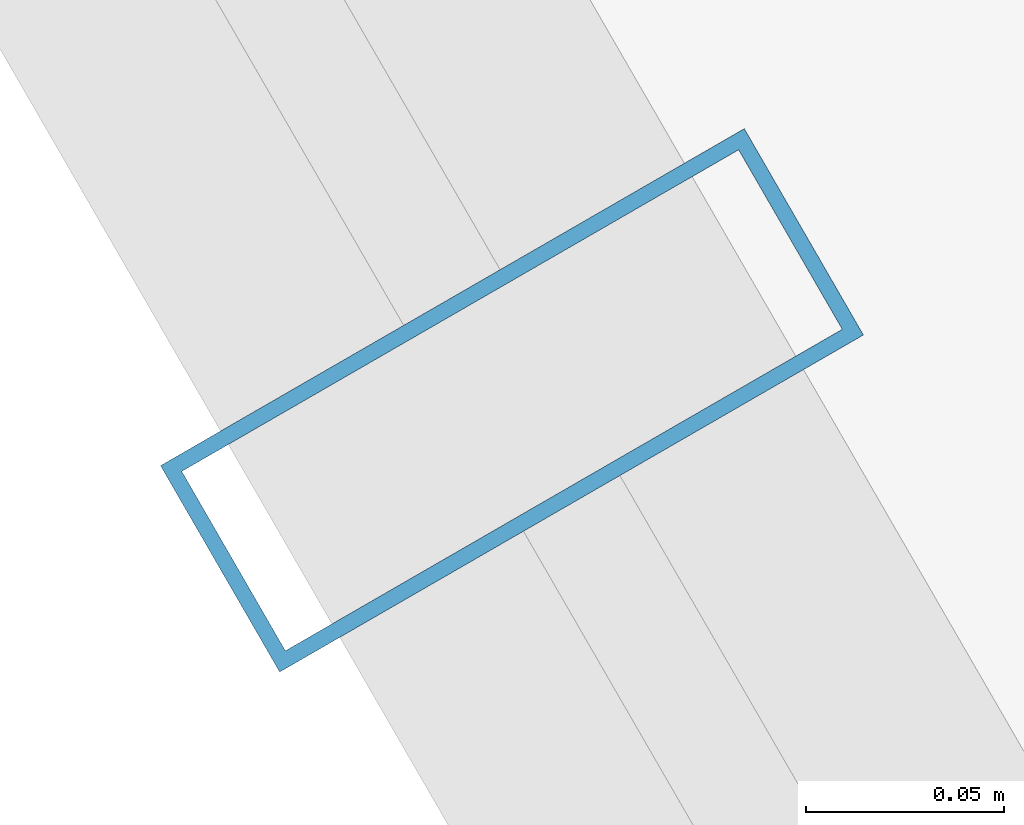
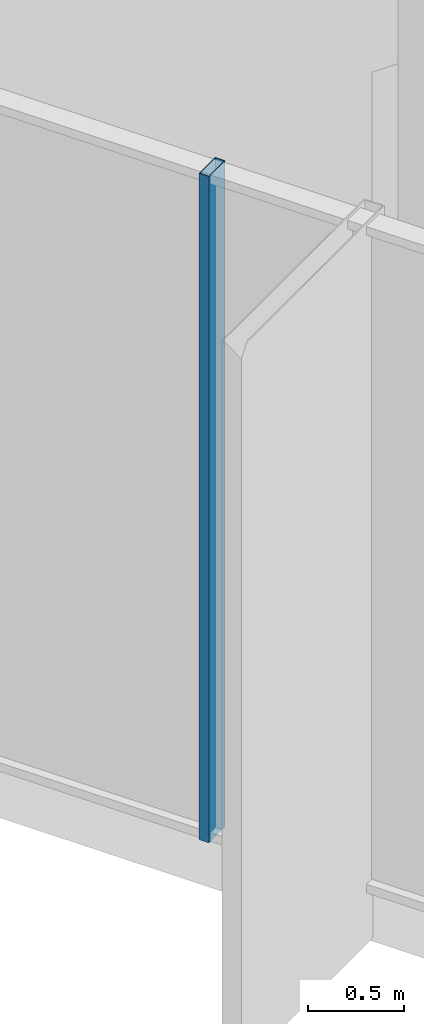
# One storey, part 4 of 39: 1 member, 1 element without a shape of its own.
"""IFC4 building model written with IfcOpenShell, lengths in metres."""

import ifcopenshell
import ifcopenshell.guid

model = None  # the IFC model being written
_history = None  # IfcOwnerHistory: only IFC2X3 demands one
_inside = {}  # id of a spatial element -> (the spatial element, [elements in it])
_under = {}  # id of a project, library or spatial element -> (it, [spatial elements below it])
_declared = {}  # id of a project -> (the project, [libraries it declares])
_typed = {}  # id of a type object -> (the type object, [elements of that type])
_made_of = {}  # id of a material, layer set ... -> (it, [elements and type objects made of it])


def new_model(schema):
    """Start an empty IFC model of exactly this schema.

    Asked for "IFC4X3", IfcOpenShell would pick the latest addendum, in which some entities
    have other attributes; the version numbers below select the first issue.
    IFC2X3 requires an IfcOwnerHistory on every rooted entity: one is made here for all.
    """
    global model, _history
    if schema == "IFC4X3":
        model = ifcopenshell.file(schema_version=(4, 3, 0, 0))
    else:
        model = ifcopenshell.file(schema=schema)
    _inside.clear()
    _under.clear()
    _declared.clear()
    _typed.clear()
    _made_of.clear()
    _history = None
    if model.schema == "IFC2X3":
        org = make("IfcOrganization", Name="unknown")
        user = make(
            "IfcPersonAndOrganization",
            ThePerson=make("IfcPerson", FamilyName="unknown"),
            TheOrganization=org,
        )
        app = make(
            "IfcApplication",
            ApplicationDeveloper=org,
            Version="unknown",
            ApplicationFullName="unknown",
            ApplicationIdentifier="unknown",
        )
        _history = make(
            "IfcOwnerHistory",
            OwningUser=user,
            OwningApplication=app,
            ChangeAction="ADDED",
            CreationDate=0,
        )
    return model


def make(cls, **values):
    """One entity of the class cls with the attributes given. An attribute that is None is left unset."""
    return model.create_entity(
        cls, **{name: value for name, value in values.items() if value is not None}
    )


def rooted(cls, **values):
    """An entity with a GlobalId (a new one), such as an element, a storey or a relation."""
    return make(cls, GlobalId=ifcopenshell.guid.new(), OwnerHistory=_history, **values)


def si_unit(unit_type, name, prefix=None):
    """IfcSIUnit, for example si_unit("LENGTHUNIT", "METRE", prefix="MILLI")."""
    return make("IfcSIUnit", UnitType=unit_type, Prefix=prefix, Name=name)


def assignment(units):
    """IfcUnitAssignment: the units of a project."""
    return None if units is None else make("IfcUnitAssignment", Units=units)


def point(xyz):
    """IfcCartesianPoint."""
    return None if xyz is None else make("IfcCartesianPoint", Coordinates=xyz)


def direction(xyz):
    """IfcDirection."""
    return None if xyz is None else make("IfcDirection", DirectionRatios=xyz)


def frame(location, z_axis=None, x_axis=None):
    """IfcAxis2Placement3D, a coordinate frame: its origin and axes. An axis left out is left unset."""
    return make(
        "IfcAxis2Placement3D",
        Location=point(location),
        Axis=direction(z_axis),
        RefDirection=direction(x_axis),
    )


def frame_2d(location, x_axis=None):
    """IfcAxis2Placement2D, a coordinate frame in the plane: its origin and x axis."""
    return make(
        "IfcAxis2Placement2D", Location=point(location), RefDirection=direction(x_axis)
    )


def origin():
    """The frame at (0, 0, 0) with its axes left unset."""
    return frame((0.0, 0.0, 0.0))


def origin_2d():
    """The frame at (0, 0) in the plane with its x axis left unset."""
    return frame_2d((0.0, 0.0))


def place(relative_to, where):
    """IfcLocalPlacement: puts the frame where relative to a parent placement (None: the world)."""
    return make(
        "IfcLocalPlacement", PlacementRelTo=relative_to, RelativePlacement=where
    )


def context(
    kind, dimensions, precision=None, world=None, true_north=None, identifier=None
):
    """IfcGeometricRepresentationContext, for example the 3D "Model" context."""
    return make(
        "IfcGeometricRepresentationContext",
        ContextIdentifier=identifier,
        ContextType=kind,
        CoordinateSpaceDimension=dimensions,
        Precision=precision,
        WorldCoordinateSystem=world,
        TrueNorth=true_north,
    )


def subcontext(parent, identifier, kind, view, scale=None):
    """IfcGeometricRepresentationSubContext, for example "Body" below "Model"."""
    return make(
        "IfcGeometricRepresentationSubContext",
        ContextIdentifier=identifier,
        ContextType=kind,
        ParentContext=parent,
        TargetScale=scale,
        TargetView=view,
    )


def project(units=None, contexts=None):
    """IfcProject with its units and contexts."""
    return rooted(
        "IfcProject",
        Name="project",
        RepresentationContexts=contexts,
        UnitsInContext=assignment(units),
    )


def spatial(cls, under=None, at=None, **own):
    """A site, building, storey or space (cls), placed at a placement, below another one or the project."""
    s = rooted(cls, ObjectPlacement=at, **own)
    if under is not None:
        _under.setdefault(under.id(), (under, []))[1].append(s)
    return s


def profile(cls, at=None, kind="AREA", **sizes):
    """A parametric profile (cls). Its sizes go by their IFC names, for example OverallWidth=200.0."""
    return make(cls, ProfileType=kind, Position=at, **sizes)


def hollow_rectangle(**sizes):
    """IfcRectangleHollowProfileDef."""
    return profile("IfcRectangleHollowProfileDef", **sizes)


def extrude(swept, where, along, depth):
    """IfcExtrudedAreaSolid: the profile swept, set in the frame where, extruded along a direction by depth."""
    return make(
        "IfcExtrudedAreaSolid",
        SweptArea=swept,
        Position=where,
        ExtrudedDirection=direction(along),
        Depth=depth,
    )


def shape(context_of_items, identifier, shape_type, items):
    """IfcShapeRepresentation: the items that make up one representation, for example the "Body"."""
    return make(
        "IfcShapeRepresentation",
        ContextOfItems=context_of_items,
        RepresentationIdentifier=identifier,
        RepresentationType=shape_type,
        Items=items,
    )


def source(mapping_origin, context_of_items, identifier, shape_type, items):
    """IfcRepresentationMap: a shape defined once, which mapped items show again and again."""
    return make(
        "IfcRepresentationMap",
        MappingOrigin=mapping_origin,
        MappedRepresentation=shape(context_of_items, identifier, shape_type, items),
    )


def transform(
    local_origin,
    x_axis=None,
    y_axis=None,
    z_axis=None,
    scale=None,
    scale2=None,
    scale3=None,
    uniform=True,
):
    """IfcCartesianTransformationOperator3D, or its non-uniform kind. x_axis, y_axis, z_axis: its Axis1, 2, 3."""
    if uniform:
        return make(
            "IfcCartesianTransformationOperator3D",
            Axis1=direction(x_axis),
            Axis2=direction(y_axis),
            LocalOrigin=point(local_origin),
            Scale=scale,
            Axis3=direction(z_axis),
        )
    return make(
        "IfcCartesianTransformationOperator3DnonUniform",
        Axis1=direction(x_axis),
        Axis2=direction(y_axis),
        LocalOrigin=point(local_origin),
        Scale=scale,
        Axis3=direction(z_axis),
        Scale2=scale2,
        Scale3=scale3,
    )


def mapped(mapping_source, mapping_target):
    """IfcMappedItem: shows the shape of a source again, moved by a transform."""
    return make(
        "IfcMappedItem", MappingSource=mapping_source, MappingTarget=mapping_target
    )


def material(Name=None, Category=None):
    """IfcMaterial."""
    return make("IfcMaterial", Name=Name, Category=Category)


def layer(
    of_material, thickness, ventilated=None, Name=None, Category=None, Priority=None
):
    """IfcMaterialLayer: one layer of a wall or slab, of a material (None: an air gap)."""
    return make(
        "IfcMaterialLayer",
        Material=of_material,
        LayerThickness=thickness,
        IsVentilated=ventilated,
        Name=Name,
        Category=Category,
        Priority=Priority,
    )


def layer_set(layers, Name=None):
    """IfcMaterialLayerSet."""
    return make("IfcMaterialLayerSet", MaterialLayers=layers, LayerSetName=Name)


def material_profile(
    of_material, cross_section, Name=None, Category=None, Priority=None
):
    """IfcMaterialProfile: a cross section and its material."""
    return make(
        "IfcMaterialProfile",
        Name=Name,
        Material=of_material,
        Profile=cross_section,
        Priority=Priority,
        Category=Category,
    )


def profile_set(profiles, Name=None, composite=None):
    """IfcMaterialProfileSet."""
    return make(
        "IfcMaterialProfileSet",
        Name=Name,
        MaterialProfiles=profiles,
        CompositeProfile=composite,
    )


def made_of(thing, what):
    """Note that an element or type object is made of a material, layer set ...; save() writes the relation."""
    if what is not None:
        _made_of.setdefault(what.id(), (what, []))[1].append(thing)
    return thing


def type_object(cls, material=None, **own):
    """A type object (cls), such as IfcWallType, which elements share."""
    return made_of(rooted(cls, **own), material)


def element(
    cls,
    number,
    at=None,
    inside=None,
    cuts=None,
    type_object=None,
    material=None,
    context=None,
    identifier="Body",
    shape_type=None,
    held_by="IfcProductDefinitionShape",
    body=None,
    shapes=None,
    **own,
):
    """One element of the class cls, such as IfcWall. Its Tag is "e" and its number.

    at: its placement. inside: the storey or other place that contains it. cuts: it is an
    opening in that element (IfcRelVoidsElement). A single representation is given by context,
    identifier, shape_type and body (its items); several are given by shapes. held_by: the class
    of the entity that holds the representations. save() writes the other relations.
    """
    e = rooted(cls, Tag="e%d" % number, ObjectPlacement=at, **own)
    if body is not None:
        shapes = [shape(context, identifier, shape_type, body)]
    if shapes is not None:
        e.Representation = make(held_by, Representations=shapes)
    if inside is not None:
        _inside.setdefault(inside.id(), (inside, []))[1].append(e)
    if cuts is not None:
        rooted(
            "IfcRelVoidsElement", RelatingBuildingElement=cuts, RelatedOpeningElement=e
        )
    if type_object is not None:
        _typed.setdefault(type_object.id(), (type_object, []))[1].append(e)
    return made_of(e, material)


def aggregate(whole, parts):
    """IfcRelAggregates: a whole, such as a stair, and the parts it consists of."""
    return rooted("IfcRelAggregates", RelatingObject=whole, RelatedObjects=parts)


def save(model, path):
    """Write the relations noted so far, then the file.

    IfcRelAggregates (storeys below a building ...), IfcRelContainedInSpatialStructure (elements
    in a storey), IfcRelDefinesByType, IfcRelAssociatesMaterial and IfcRelDeclares: one each for
    every whole, place, type object, material and project.
    """
    for whole, parts in _under.values():
        aggregate(whole, parts)
    for where, things in _inside.values():
        rooted(
            "IfcRelContainedInSpatialStructure",
            RelatedElements=things,
            RelatingStructure=where,
        )
    for kind, things in _typed.values():
        rooted("IfcRelDefinesByType", RelatedObjects=things, RelatingType=kind)
    for what, things in _made_of.values():
        rooted("IfcRelAssociatesMaterial", RelatedObjects=things, RelatingMaterial=what)
    for by, libraries in _declared.values():
        rooted("IfcRelDeclares", RelatingContext=by, RelatedDefinitions=libraries)
    model.write(path)


model = new_model("IFC4")

# Units and contexts
model_context = context("Model", 3, precision=1e-05, world=origin(), true_north=direction((0.0, 1.0)))
body_context = subcontext(model_context, "Body", "Model", "MODEL_VIEW")
ifc_project = project(units=[si_unit("LENGTHUNIT", "METRE"), si_unit("AREAUNIT", "SQUARE_METRE"), si_unit("VOLUMEUNIT", "CUBIC_METRE"), si_unit("PLANEANGLEUNIT", "RADIAN"), si_unit("MASSUNIT", "GRAM", prefix="KILO")], contexts=[model_context])

# Site, building, storey
site_placement = place(None, origin())
site = spatial("IfcSite", under=ifc_project, at=site_placement, CompositionType="ELEMENT")
building_placement = place(site_placement, origin())
building = spatial("IfcBuilding", under=site, at=building_placement, Name="Veraguas Prism Commons", CompositionType="ELEMENT")
storey_placement = place(building_placement, frame((0.0, 0.0, 22.800048828125)))
storey = spatial("IfcBuildingStorey", under=building, at=storey_placement, Name="L05", CompositionType="ELEMENT", Elevation=22.800048828125)

# Curtain wall, member
ifc_material = material(Name="Anodised aluminium EN AW-6063 T6", Category="aluminium")
ifc_layer = layer(ifc_material, 0.169921875, Name="Unitised Flush Curtain Wall Zone 1", Category="aluminium")
ifc_layer_set = layer_set([ifc_layer], Name="Anodised aluminium EN AW-6063 T6")
curtain_wall_type = type_object("IfcCurtainWallType", Name="Unitised Flush Curtain Wall Zone 1", PredefinedType="NOTDEFINED", material=ifc_layer_set)
curtain_wall_placement = place(storey_placement, origin())
curtain_wall = element("IfcCurtainWall", 1, at=curtain_wall_placement, inside=storey, type_object=curtain_wall_type, Name="Tower Facade Curtain Wall L05-F4", PredefinedType="NOTDEFINED")
ifc_material_profile = material_profile(ifc_material, hollow_rectangle(XDim=0.06005859375, YDim=0.169921875, WallThickness=0.00390625, at=origin_2d()), Name="AL60X170X4")
ifc_profile_set = profile_set([ifc_material_profile], Name="Anodised aluminium EN AW-6063 T6")
member_type = type_object("IfcMemberType", Name="Curtain Wall Mullion Lower AL 60x170x4", PredefinedType="MULLION", material=ifc_profile_set)
shared_shape = source(origin(), body_context, "Body", "SweptSolid", [
    extrude(hollow_rectangle(XDim=0.06005859375, YDim=0.169921875, WallThickness=0.00390625, at=origin_2d()), origin(), (0.0, 0.0, 1.0), 4.25),
])
member_placement = place(storey_placement, frame((3.66455078125, 17.65283203125, 0.0), z_axis=(0.0, 0.0, 1.0), x_axis=(0.500004534492, -0.866022785779, 0.0)))
member = element("IfcMember", 2, at=member_placement, type_object=member_type, Name="CW-Z1 Mullion 2", PredefinedType="MULLION", context=body_context, shape_type="MappedRepresentation", body=[
    mapped(shared_shape, transform((0.0, 0.0, 0.0), scale=1.0)),
])
aggregate(curtain_wall, [member])

save(model, "model.ifc")
